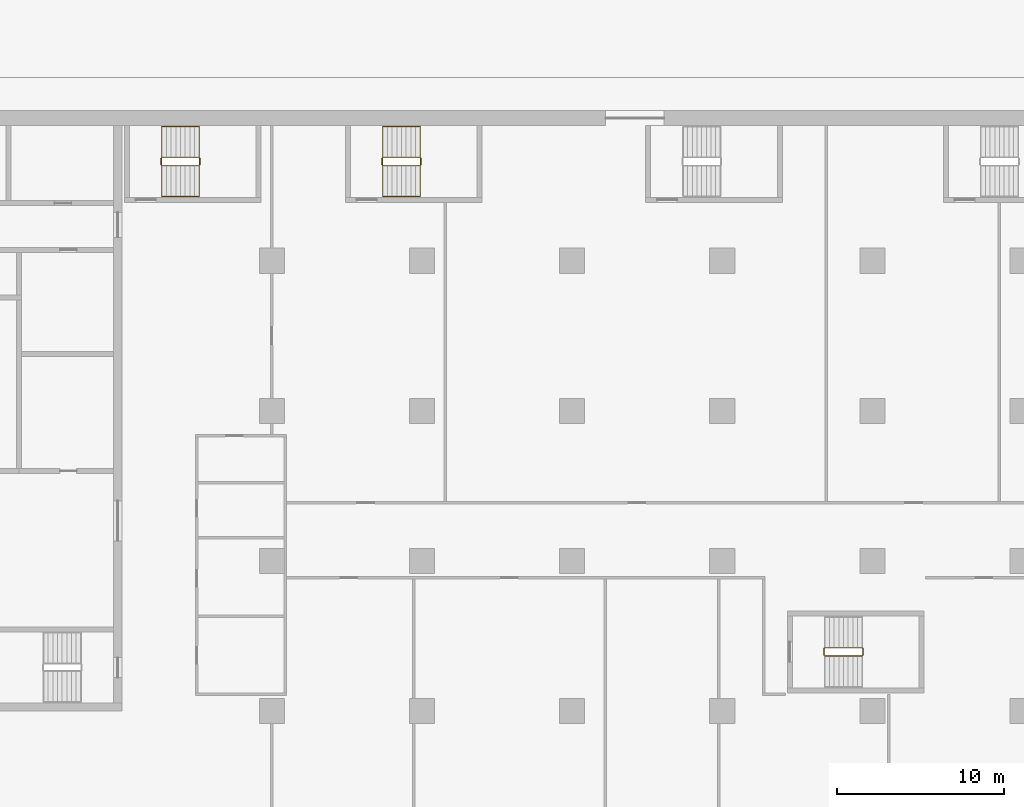
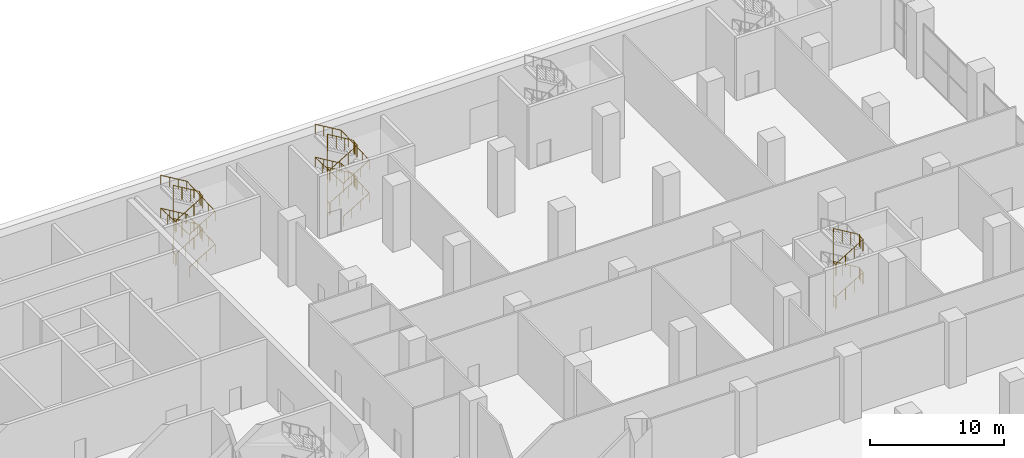
# One storey, part 41 of 47: 5 railings.
"""IFC4 building model written with IfcOpenShell, lengths in metres."""

from ifc_helpers import new_model, si_unit, direction, frame, origin, origin_2d, place, context, subcontext, project, spatial, circle, extrude, material, type_object, element, save


model = new_model("IFC4")

# Units and contexts
model_context = context("Model", 3, precision=1e-05, world=origin(), true_north=direction((0.0, 1.0)))
body_context = subcontext(model_context, "Body", "Model", "MODEL_VIEW")
ifc_project = project(units=[si_unit("LENGTHUNIT", "METRE"), si_unit("AREAUNIT", "SQUARE_METRE"), si_unit("VOLUMEUNIT", "CUBIC_METRE"), si_unit("PLANEANGLEUNIT", "RADIAN"), si_unit("MASSUNIT", "GRAM", prefix="KILO")], contexts=[model_context])

# Site, building, storey
site_placement = place(None, origin())
site = spatial("IfcSite", under=ifc_project, at=site_placement, CompositionType="ELEMENT")
building_placement = place(site_placement, origin())
building = spatial("IfcBuilding", under=site, at=building_placement, Name="Hunhe Ridgeline Campus", CompositionType="ELEMENT")
storey_placement = place(building_placement, origin())
storey = spatial("IfcBuildingStorey", under=building, at=storey_placement, Name="L00", CompositionType="ELEMENT", Elevation=0.0)

# Railings
ifc_material_1 = material(Name="Stainless steel balustrade", Category="steel")
railing_type_1 = type_object("IfcRailingType", Name="Stair guard 1100 stainless", PredefinedType="GUARDRAIL", material=ifc_material_1)
railing_1_placement = place(storey_placement, frame((38.39990234375, 95.699951171875, 0.166748046875)))
element("IfcRailing", 1, at=railing_1_placement, inside=storey, type_object=railing_type_1, Name="L00 stair E1 guard", PredefinedType="GUARDRAIL", context=body_context, shape_type="SweptSolid", body=[
    extrude(circle(Radius=0.02392578125, at=origin_2d()), frame((0.0, 0.0, 1.076171875), z_axis=(0.859305625298, 0.0, 0.511462454469), x_axis=(0.0, 1.0, 0.0)), (0.0, 0.0, 1.0), 2.606689453125),
    extrude(circle(Radius=0.02392578125, at=origin_2d()), frame((2.239990234375, 0.0, 2.4091796875), z_axis=(0.707106781187, 0.707106781187, 0.0), x_axis=(-0.707106781187, 0.707106781187, 0.0)), (0.0, 0.0, 1.0), 0.07080078125),
    extrude(circle(Radius=0.02392578125, at=origin_2d()), frame((2.2900390625, 0.050048828125, 2.4091796875), z_axis=(0.0, 1.0, 0.0), x_axis=(-1.0, 0.0, 0.0)), (0.0, 0.0, 1.0), 0.39990234375),
    extrude(circle(Radius=0.02392578125, at=origin_2d()), frame((2.2900390625, 0.449951171875, 2.4091796875), z_axis=(-0.27628659633, 0.27628659633, 0.920506074601), x_axis=(-0.707106781187, -0.707106781187, 0.0)), (0.0, 0.0, 1.0), 0.18115234375),
    extrude(circle(Radius=0.02392578125, at=origin_2d()), frame((2.239990234375, 0.5, 2.576171875), z_axis=(-0.859305625298, 0.0, 0.511462454469), x_axis=(0.0, -1.0, 0.0)), (0.0, 0.0, 1.0), 2.606689453125),
    extrude(circle(Radius=0.02392578125, at=origin_2d()), frame((0.0, 0.5, 3.9091796875), z_axis=(-0.705375805398, -0.708833529934, 0.0), x_axis=(0.708833529934, -0.705375805398, 0.0)), (0.0, 0.0, 1.0), 0.070556640625),
    extrude(circle(Radius=0.02392578125, at=origin_2d()), frame((-0.0498046875, 0.449951171875, 3.9091796875), z_axis=(0.0, -1.0, 0.0), x_axis=(1.0, 0.0, 0.0)), (0.0, 0.0, 1.0), 0.39990234375),
    extrude(circle(Radius=0.02392578125, at=origin_2d()), frame((-0.0498046875, 0.050048828125, 3.9091796875), z_axis=(0.275041040955, -0.276389281352, 0.920848191041), x_axis=(0.708833529934, 0.705375805398, 0.0)), (0.0, 0.0, 1.0), 0.18115234375),
    extrude(circle(Radius=0.02392578125, at=origin_2d()), frame((0.0, 0.0, 4.076171875), z_axis=(0.859305625298, 0.0, 0.511462454469), x_axis=(0.0, 1.0, 0.0)), (0.0, 0.0, 1.0), 2.606689453125),
    extrude(circle(Radius=0.02392578125, at=origin_2d()), frame((2.239990234375, 0.0, 5.4091796875), z_axis=(0.707106781187, 0.707106781187, 0.0), x_axis=(-0.707106781187, 0.707106781187, 0.0)), (0.0, 0.0, 1.0), 0.07080078125),
    extrude(circle(Radius=0.02392578125, at=origin_2d()), frame((2.2900390625, 0.050048828125, 5.4091796875), z_axis=(0.0, 1.0, 0.0), x_axis=(-1.0, 0.0, 0.0)), (0.0, 0.0, 1.0), 0.39990234375),
    extrude(circle(Radius=0.02392578125, at=origin_2d()), frame((2.2900390625, 0.449951171875, 5.4091796875), z_axis=(-0.27628659633, 0.27628659633, 0.920506074601), x_axis=(-0.707106781187, -0.707106781187, 0.0)), (0.0, 0.0, 1.0), 0.18115234375),
    extrude(circle(Radius=0.02392578125, at=origin_2d()), frame((2.239990234375, 0.5, 5.576171875), z_axis=(-0.859305625298, 0.0, 0.511462454469), x_axis=(0.0, -1.0, 0.0)), (0.0, 0.0, 1.0), 2.606689453125),
    extrude(circle(Radius=0.02392578125, at=origin_2d()), frame((0.0, 0.5, 6.9091796875), z_axis=(-0.008300206551, -0.008340893838, -0.999930765634), x_axis=(1.0, 0.0, 0.0)), (0.0, 0.0, 1.0), 6.00048828125),
    extrude(circle(Radius=0.02392578125, at=origin_2d()), frame((-0.0498046875, 0.449951171875, 0.9091796875), z_axis=(0.0, -1.0, 0.0), x_axis=(1.0, 0.0, 0.0)), (0.0, 0.0, 1.0), 0.39990234375),
    extrude(circle(Radius=0.02099609375, at=origin_2d()), origin(), (0.0, 0.0, 1.0), 1.052001953125),
    extrude(circle(Radius=0.02099609375, at=origin_2d()), frame((0.74658203125, 0.0, 0.4443359375)), (0.0, 0.0, 1.0), 1.052001953125),
    extrude(circle(Radius=0.02099609375, at=origin_2d()), frame((1.493408203125, 0.0, 0.888916015625)), (0.0, 0.0, 1.0), 1.052001953125),
    extrude(circle(Radius=0.02099609375, at=origin_2d()), frame((2.239990234375, 0.0, 1.333251953125)), (0.0, 0.0, 1.0), 1.052001953125),
    extrude(circle(Radius=0.02099609375, at=origin_2d()), frame((2.2900390625, 0.050048828125, 1.333251953125)), (0.0, 0.0, 1.0), 1.052001953125),
    extrude(circle(Radius=0.02099609375, at=origin_2d()), frame((2.2900390625, 0.449951171875, 1.333251953125)), (0.0, 0.0, 1.0), 1.052001953125),
    extrude(circle(Radius=0.02099609375, at=origin_2d()), frame((2.239990234375, 0.5, 1.5)), (0.0, 0.0, 1.0), 1.052001953125),
    extrude(circle(Radius=0.02099609375, at=origin_2d()), frame((1.493408203125, 0.5, 1.9443359375)), (0.0, 0.0, 1.0), 1.052001953125),
    extrude(circle(Radius=0.02099609375, at=origin_2d()), frame((0.74658203125, 0.5, 2.388916015625)), (0.0, 0.0, 1.0), 1.052001953125),
    extrude(circle(Radius=0.02099609375, at=origin_2d()), frame((0.0, 0.5, 2.833251953125)), (0.0, 0.0, 1.0), 1.052001953125),
    extrude(circle(Radius=0.02099609375, at=origin_2d()), frame((-0.0498046875, 0.449951171875, 2.833251953125)), (0.0, 0.0, 1.0), 1.052001953125),
    extrude(circle(Radius=0.02099609375, at=origin_2d()), frame((-0.0498046875, 0.050048828125, 2.833251953125)), (0.0, 0.0, 1.0), 1.052001953125),
    extrude(circle(Radius=0.02099609375, at=origin_2d()), frame((0.0, 0.0, 3.0)), (0.0, 0.0, 1.0), 1.052001953125),
    extrude(circle(Radius=0.02099609375, at=origin_2d()), frame((0.74658203125, 0.0, 3.4443359375)), (0.0, 0.0, 1.0), 1.052001953125),
    extrude(circle(Radius=0.02099609375, at=origin_2d()), frame((1.493408203125, 0.0, 3.888916015625)), (0.0, 0.0, 1.0), 1.052001953125),
    extrude(circle(Radius=0.02099609375, at=origin_2d()), frame((2.239990234375, 0.0, 4.333251953125)), (0.0, 0.0, 1.0), 1.052001953125),
    extrude(circle(Radius=0.02099609375, at=origin_2d()), frame((2.2900390625, 0.050048828125, 4.333251953125)), (0.0, 0.0, 1.0), 1.052001953125),
    extrude(circle(Radius=0.02099609375, at=origin_2d()), frame((2.2900390625, 0.449951171875, 4.333251953125)), (0.0, 0.0, 1.0), 1.052001953125),
    extrude(circle(Radius=0.02099609375, at=origin_2d()), frame((2.239990234375, 0.5, 4.5)), (0.0, 0.0, 1.0), 1.052001953125),
    extrude(circle(Radius=0.02099609375, at=origin_2d()), frame((1.493408203125, 0.5, 4.9443359375)), (0.0, 0.0, 1.0), 1.052001953125),
    extrude(circle(Radius=0.02099609375, at=origin_2d()), frame((0.74658203125, 0.5, 5.388916015625)), (0.0, 0.0, 1.0), 1.052001953125),
    extrude(circle(Radius=0.02099609375, at=origin_2d()), frame((0.0, 0.5, 5.833251953125)), (0.0, 0.0, 1.0), 1.052001953125),
    extrude(circle(Radius=0.02099609375, at=origin_2d()), frame((-0.00830078125, 0.49169921875, 4.833251953125)), (0.0, 0.0, 1.0), 1.052001953125),
    extrude(circle(Radius=0.02099609375, at=origin_2d()), frame((-0.0166015625, 0.4833984375, 3.833251953125)), (0.0, 0.0, 1.0), 1.052001953125),
    extrude(circle(Radius=0.02099609375, at=origin_2d()), frame((-0.02490234375, 0.47509765625, 2.833251953125)), (0.0, 0.0, 1.0), 1.052001953125),
    extrude(circle(Radius=0.02099609375, at=origin_2d()), frame((-0.033203125, 0.466552734375, 1.833251953125)), (0.0, 0.0, 1.0), 1.052001953125),
    extrude(circle(Radius=0.02099609375, at=origin_2d()), frame((-0.04150390625, 0.458251953125, 0.833251953125)), (0.0, 0.0, 1.0), 1.052001953125),
    extrude(circle(Radius=0.02099609375, at=origin_2d()), frame((-0.0498046875, 0.449951171875, -0.166748046875)), (0.0, 0.0, 1.0), 1.052001953125),
    extrude(circle(Radius=0.02099609375, at=origin_2d()), frame((-0.0498046875, 0.050048828125, -0.166748046875)), (0.0, 0.0, 1.0), 1.052001953125),
])
railing_2_placement = place(storey_placement, frame((51.64990234375, 95.699951171875, 0.166748046875)))
element("IfcRailing", 2, at=railing_2_placement, inside=storey, type_object=railing_type_1, Name="L00 stair E2 guard", PredefinedType="GUARDRAIL", context=body_context, shape_type="SweptSolid", body=[
    extrude(circle(Radius=0.02392578125, at=origin_2d()), frame((0.0, 0.0, 1.076171875), z_axis=(0.859305625298, 0.0, 0.511462454469), x_axis=(0.0, 1.0, 0.0)), (0.0, 0.0, 1.0), 2.606689453125),
    extrude(circle(Radius=0.02392578125, at=origin_2d()), frame((2.239990234375, 0.0, 2.4091796875), z_axis=(0.707106781187, 0.707106781187, 0.0), x_axis=(-0.707106781187, 0.707106781187, 0.0)), (0.0, 0.0, 1.0), 0.07080078125),
    extrude(circle(Radius=0.02392578125, at=origin_2d()), frame((2.2900390625, 0.050048828125, 2.4091796875), z_axis=(0.0, 1.0, 0.0), x_axis=(-1.0, 0.0, 0.0)), (0.0, 0.0, 1.0), 0.39990234375),
    extrude(circle(Radius=0.02392578125, at=origin_2d()), frame((2.2900390625, 0.449951171875, 2.4091796875), z_axis=(-0.27628659633, 0.27628659633, 0.920506074601), x_axis=(-0.707106781187, -0.707106781187, 0.0)), (0.0, 0.0, 1.0), 0.18115234375),
    extrude(circle(Radius=0.02392578125, at=origin_2d()), frame((2.239990234375, 0.5, 2.576171875), z_axis=(-0.859305625298, 0.0, 0.511462454469), x_axis=(0.0, -1.0, 0.0)), (0.0, 0.0, 1.0), 2.606689453125),
    extrude(circle(Radius=0.02392578125, at=origin_2d()), frame((0.0, 0.5, 3.9091796875), z_axis=(-0.705375805398, -0.708833529934, 0.0), x_axis=(0.708833529934, -0.705375805398, 0.0)), (0.0, 0.0, 1.0), 0.070556640625),
    extrude(circle(Radius=0.02392578125, at=origin_2d()), frame((-0.0498046875, 0.449951171875, 3.9091796875), z_axis=(0.0, -1.0, 0.0), x_axis=(1.0, 0.0, 0.0)), (0.0, 0.0, 1.0), 0.39990234375),
    extrude(circle(Radius=0.02392578125, at=origin_2d()), frame((-0.0498046875, 0.050048828125, 3.9091796875), z_axis=(0.275041040955, -0.276389281352, 0.920848191041), x_axis=(0.708833529934, 0.705375805398, 0.0)), (0.0, 0.0, 1.0), 0.18115234375),
    extrude(circle(Radius=0.02392578125, at=origin_2d()), frame((0.0, 0.0, 4.076171875), z_axis=(0.859305625298, 0.0, 0.511462454469), x_axis=(0.0, 1.0, 0.0)), (0.0, 0.0, 1.0), 2.606689453125),
    extrude(circle(Radius=0.02392578125, at=origin_2d()), frame((2.239990234375, 0.0, 5.4091796875), z_axis=(0.707106781187, 0.707106781187, 0.0), x_axis=(-0.707106781187, 0.707106781187, 0.0)), (0.0, 0.0, 1.0), 0.07080078125),
    extrude(circle(Radius=0.02392578125, at=origin_2d()), frame((2.2900390625, 0.050048828125, 5.4091796875), z_axis=(0.0, 1.0, 0.0), x_axis=(-1.0, 0.0, 0.0)), (0.0, 0.0, 1.0), 0.39990234375),
    extrude(circle(Radius=0.02392578125, at=origin_2d()), frame((2.2900390625, 0.449951171875, 5.4091796875), z_axis=(-0.27628659633, 0.27628659633, 0.920506074601), x_axis=(-0.707106781187, -0.707106781187, 0.0)), (0.0, 0.0, 1.0), 0.18115234375),
    extrude(circle(Radius=0.02392578125, at=origin_2d()), frame((2.239990234375, 0.5, 5.576171875), z_axis=(-0.859305625298, 0.0, 0.511462454469), x_axis=(0.0, -1.0, 0.0)), (0.0, 0.0, 1.0), 2.606689453125),
    extrude(circle(Radius=0.02392578125, at=origin_2d()), frame((0.0, 0.5, 6.9091796875), z_axis=(-0.008300206551, -0.008340893838, -0.999930765634), x_axis=(1.0, 0.0, 0.0)), (0.0, 0.0, 1.0), 6.00048828125),
    extrude(circle(Radius=0.02392578125, at=origin_2d()), frame((-0.0498046875, 0.449951171875, 0.9091796875), z_axis=(0.0, -1.0, 0.0), x_axis=(1.0, 0.0, 0.0)), (0.0, 0.0, 1.0), 0.39990234375),
    extrude(circle(Radius=0.02099609375, at=origin_2d()), origin(), (0.0, 0.0, 1.0), 1.052001953125),
    extrude(circle(Radius=0.02099609375, at=origin_2d()), frame((0.74658203125, 0.0, 0.4443359375)), (0.0, 0.0, 1.0), 1.052001953125),
    extrude(circle(Radius=0.02099609375, at=origin_2d()), frame((1.493408203125, 0.0, 0.888916015625)), (0.0, 0.0, 1.0), 1.052001953125),
    extrude(circle(Radius=0.02099609375, at=origin_2d()), frame((2.239990234375, 0.0, 1.333251953125)), (0.0, 0.0, 1.0), 1.052001953125),
    extrude(circle(Radius=0.02099609375, at=origin_2d()), frame((2.2900390625, 0.050048828125, 1.333251953125)), (0.0, 0.0, 1.0), 1.052001953125),
    extrude(circle(Radius=0.02099609375, at=origin_2d()), frame((2.2900390625, 0.449951171875, 1.333251953125)), (0.0, 0.0, 1.0), 1.052001953125),
    extrude(circle(Radius=0.02099609375, at=origin_2d()), frame((2.239990234375, 0.5, 1.5)), (0.0, 0.0, 1.0), 1.052001953125),
    extrude(circle(Radius=0.02099609375, at=origin_2d()), frame((1.493408203125, 0.5, 1.9443359375)), (0.0, 0.0, 1.0), 1.052001953125),
    extrude(circle(Radius=0.02099609375, at=origin_2d()), frame((0.74658203125, 0.5, 2.388916015625)), (0.0, 0.0, 1.0), 1.052001953125),
    extrude(circle(Radius=0.02099609375, at=origin_2d()), frame((0.0, 0.5, 2.833251953125)), (0.0, 0.0, 1.0), 1.052001953125),
    extrude(circle(Radius=0.02099609375, at=origin_2d()), frame((-0.0498046875, 0.449951171875, 2.833251953125)), (0.0, 0.0, 1.0), 1.052001953125),
    extrude(circle(Radius=0.02099609375, at=origin_2d()), frame((-0.0498046875, 0.050048828125, 2.833251953125)), (0.0, 0.0, 1.0), 1.052001953125),
    extrude(circle(Radius=0.02099609375, at=origin_2d()), frame((0.0, 0.0, 3.0)), (0.0, 0.0, 1.0), 1.052001953125),
    extrude(circle(Radius=0.02099609375, at=origin_2d()), frame((0.74658203125, 0.0, 3.4443359375)), (0.0, 0.0, 1.0), 1.052001953125),
    extrude(circle(Radius=0.02099609375, at=origin_2d()), frame((1.493408203125, 0.0, 3.888916015625)), (0.0, 0.0, 1.0), 1.052001953125),
    extrude(circle(Radius=0.02099609375, at=origin_2d()), frame((2.239990234375, 0.0, 4.333251953125)), (0.0, 0.0, 1.0), 1.052001953125),
    extrude(circle(Radius=0.02099609375, at=origin_2d()), frame((2.2900390625, 0.050048828125, 4.333251953125)), (0.0, 0.0, 1.0), 1.052001953125),
    extrude(circle(Radius=0.02099609375, at=origin_2d()), frame((2.2900390625, 0.449951171875, 4.333251953125)), (0.0, 0.0, 1.0), 1.052001953125),
    extrude(circle(Radius=0.02099609375, at=origin_2d()), frame((2.239990234375, 0.5, 4.5)), (0.0, 0.0, 1.0), 1.052001953125),
    extrude(circle(Radius=0.02099609375, at=origin_2d()), frame((1.493408203125, 0.5, 4.9443359375)), (0.0, 0.0, 1.0), 1.052001953125),
    extrude(circle(Radius=0.02099609375, at=origin_2d()), frame((0.74658203125, 0.5, 5.388916015625)), (0.0, 0.0, 1.0), 1.052001953125),
    extrude(circle(Radius=0.02099609375, at=origin_2d()), frame((0.0, 0.5, 5.833251953125)), (0.0, 0.0, 1.0), 1.052001953125),
    extrude(circle(Radius=0.02099609375, at=origin_2d()), frame((-0.00830078125, 0.49169921875, 4.833251953125)), (0.0, 0.0, 1.0), 1.052001953125),
    extrude(circle(Radius=0.02099609375, at=origin_2d()), frame((-0.0166015625, 0.4833984375, 3.833251953125)), (0.0, 0.0, 1.0), 1.052001953125),
    extrude(circle(Radius=0.02099609375, at=origin_2d()), frame((-0.02490234375, 0.47509765625, 2.833251953125)), (0.0, 0.0, 1.0), 1.052001953125),
    extrude(circle(Radius=0.02099609375, at=origin_2d()), frame((-0.033203125, 0.466552734375, 1.833251953125)), (0.0, 0.0, 1.0), 1.052001953125),
    extrude(circle(Radius=0.02099609375, at=origin_2d()), frame((-0.04150390625, 0.458251953125, 0.833251953125)), (0.0, 0.0, 1.0), 1.052001953125),
    extrude(circle(Radius=0.02099609375, at=origin_2d()), frame((-0.0498046875, 0.449951171875, -0.166748046875)), (0.0, 0.0, 1.0), 1.052001953125),
    extrude(circle(Radius=0.02099609375, at=origin_2d()), frame((-0.0498046875, 0.050048828125, -0.166748046875)), (0.0, 0.0, 1.0), 1.052001953125),
])
railing_3_placement = place(storey_placement, frame((78.14990234375, 66.300048828125, 0.166748046875)))
element("IfcRailing", 3, at=railing_3_placement, inside=storey, type_object=railing_type_1, Name="L00 stair E5 guard", PredefinedType="GUARDRAIL", context=body_context, shape_type="SweptSolid", body=[
    extrude(circle(Radius=0.02392578125, at=origin_2d()), frame((0.0, 0.0, 1.076171875), z_axis=(0.859305625298, 0.0, 0.511462454469), x_axis=(0.0, 1.0, 0.0)), (0.0, 0.0, 1.0), 2.606689453125),
    extrude(circle(Radius=0.02392578125, at=origin_2d()), frame((2.239990234375, 0.0, 2.4091796875), z_axis=(0.707106781187, 0.707106781187, 0.0), x_axis=(-0.707106781187, 0.707106781187, 0.0)), (0.0, 0.0, 1.0), 0.07080078125),
    extrude(circle(Radius=0.02392578125, at=origin_2d()), frame((2.2900390625, 0.050048828125, 2.4091796875), z_axis=(0.0, 1.0, 0.0), x_axis=(-1.0, 0.0, 0.0)), (0.0, 0.0, 1.0), 0.39990234375),
    extrude(circle(Radius=0.02392578125, at=origin_2d()), frame((2.2900390625, 0.449951171875, 2.4091796875), z_axis=(-0.27628659633, 0.27628659633, 0.920506074601), x_axis=(-0.707106781187, -0.707106781187, 0.0)), (0.0, 0.0, 1.0), 0.18115234375),
    extrude(circle(Radius=0.02392578125, at=origin_2d()), frame((2.239990234375, 0.5, 2.576171875), z_axis=(-0.859305625298, 0.0, 0.511462454469), x_axis=(0.0, -1.0, 0.0)), (0.0, 0.0, 1.0), 2.606689453125),
    extrude(circle(Radius=0.02392578125, at=origin_2d()), frame((0.0, 0.5, 3.9091796875), z_axis=(-0.705375805398, -0.708833529934, 0.0), x_axis=(0.708833529934, -0.705375805398, 0.0)), (0.0, 0.0, 1.0), 0.070556640625),
    extrude(circle(Radius=0.02392578125, at=origin_2d()), frame((-0.0498046875, 0.449951171875, 3.9091796875), z_axis=(0.0, -1.0, 0.0), x_axis=(1.0, 0.0, 0.0)), (0.0, 0.0, 1.0), 0.39990234375),
    extrude(circle(Radius=0.02392578125, at=origin_2d()), frame((-0.0498046875, 0.050048828125, 3.9091796875), z_axis=(0.275041040955, -0.276389281352, 0.920848191041), x_axis=(0.708833529934, 0.705375805398, 0.0)), (0.0, 0.0, 1.0), 0.18115234375),
    extrude(circle(Radius=0.02392578125, at=origin_2d()), frame((0.0, 0.0, 4.076171875), z_axis=(0.859305625298, 0.0, 0.511462454469), x_axis=(0.0, 1.0, 0.0)), (0.0, 0.0, 1.0), 2.606689453125),
    extrude(circle(Radius=0.02392578125, at=origin_2d()), frame((2.239990234375, 0.0, 5.4091796875), z_axis=(0.707106781187, 0.707106781187, 0.0), x_axis=(-0.707106781187, 0.707106781187, 0.0)), (0.0, 0.0, 1.0), 0.07080078125),
    extrude(circle(Radius=0.02392578125, at=origin_2d()), frame((2.2900390625, 0.050048828125, 5.4091796875), z_axis=(0.0, 1.0, 0.0), x_axis=(-1.0, 0.0, 0.0)), (0.0, 0.0, 1.0), 0.39990234375),
    extrude(circle(Radius=0.02392578125, at=origin_2d()), frame((2.2900390625, 0.449951171875, 5.4091796875), z_axis=(-0.27628659633, 0.27628659633, 0.920506074601), x_axis=(-0.707106781187, -0.707106781187, 0.0)), (0.0, 0.0, 1.0), 0.18115234375),
    extrude(circle(Radius=0.02392578125, at=origin_2d()), frame((2.239990234375, 0.5, 5.576171875), z_axis=(-0.859305625298, 0.0, 0.511462454469), x_axis=(0.0, -1.0, 0.0)), (0.0, 0.0, 1.0), 2.606689453125),
    extrude(circle(Radius=0.02392578125, at=origin_2d()), frame((0.0, 0.5, 6.9091796875), z_axis=(-0.008300206551, -0.008340893838, -0.999930765634), x_axis=(1.0, 0.0, 0.0)), (0.0, 0.0, 1.0), 6.00048828125),
    extrude(circle(Radius=0.02392578125, at=origin_2d()), frame((-0.0498046875, 0.449951171875, 0.9091796875), z_axis=(0.0, -1.0, 0.0), x_axis=(1.0, 0.0, 0.0)), (0.0, 0.0, 1.0), 0.39990234375),
    extrude(circle(Radius=0.02099609375, at=origin_2d()), origin(), (0.0, 0.0, 1.0), 1.052001953125),
    extrude(circle(Radius=0.02099609375, at=origin_2d()), frame((0.74658203125, 0.0, 0.4443359375)), (0.0, 0.0, 1.0), 1.052001953125),
    extrude(circle(Radius=0.02099609375, at=origin_2d()), frame((1.493408203125, 0.0, 0.888916015625)), (0.0, 0.0, 1.0), 1.052001953125),
    extrude(circle(Radius=0.02099609375, at=origin_2d()), frame((2.239990234375, 0.0, 1.333251953125)), (0.0, 0.0, 1.0), 1.052001953125),
    extrude(circle(Radius=0.02099609375, at=origin_2d()), frame((2.2900390625, 0.050048828125, 1.333251953125)), (0.0, 0.0, 1.0), 1.052001953125),
    extrude(circle(Radius=0.02099609375, at=origin_2d()), frame((2.2900390625, 0.449951171875, 1.333251953125)), (0.0, 0.0, 1.0), 1.052001953125),
    extrude(circle(Radius=0.02099609375, at=origin_2d()), frame((2.239990234375, 0.5, 1.5)), (0.0, 0.0, 1.0), 1.052001953125),
    extrude(circle(Radius=0.02099609375, at=origin_2d()), frame((1.493408203125, 0.5, 1.9443359375)), (0.0, 0.0, 1.0), 1.052001953125),
    extrude(circle(Radius=0.02099609375, at=origin_2d()), frame((0.74658203125, 0.5, 2.388916015625)), (0.0, 0.0, 1.0), 1.052001953125),
    extrude(circle(Radius=0.02099609375, at=origin_2d()), frame((0.0, 0.5, 2.833251953125)), (0.0, 0.0, 1.0), 1.052001953125),
    extrude(circle(Radius=0.02099609375, at=origin_2d()), frame((-0.0498046875, 0.449951171875, 2.833251953125)), (0.0, 0.0, 1.0), 1.052001953125),
    extrude(circle(Radius=0.02099609375, at=origin_2d()), frame((-0.0498046875, 0.050048828125, 2.833251953125)), (0.0, 0.0, 1.0), 1.052001953125),
    extrude(circle(Radius=0.02099609375, at=origin_2d()), frame((0.0, 0.0, 3.0)), (0.0, 0.0, 1.0), 1.052001953125),
    extrude(circle(Radius=0.02099609375, at=origin_2d()), frame((0.74658203125, 0.0, 3.4443359375)), (0.0, 0.0, 1.0), 1.052001953125),
    extrude(circle(Radius=0.02099609375, at=origin_2d()), frame((1.493408203125, 0.0, 3.888916015625)), (0.0, 0.0, 1.0), 1.052001953125),
    extrude(circle(Radius=0.02099609375, at=origin_2d()), frame((2.239990234375, 0.0, 4.333251953125)), (0.0, 0.0, 1.0), 1.052001953125),
    extrude(circle(Radius=0.02099609375, at=origin_2d()), frame((2.2900390625, 0.050048828125, 4.333251953125)), (0.0, 0.0, 1.0), 1.052001953125),
    extrude(circle(Radius=0.02099609375, at=origin_2d()), frame((2.2900390625, 0.449951171875, 4.333251953125)), (0.0, 0.0, 1.0), 1.052001953125),
    extrude(circle(Radius=0.02099609375, at=origin_2d()), frame((2.239990234375, 0.5, 4.5)), (0.0, 0.0, 1.0), 1.052001953125),
    extrude(circle(Radius=0.02099609375, at=origin_2d()), frame((1.493408203125, 0.5, 4.9443359375)), (0.0, 0.0, 1.0), 1.052001953125),
    extrude(circle(Radius=0.02099609375, at=origin_2d()), frame((0.74658203125, 0.5, 5.388916015625)), (0.0, 0.0, 1.0), 1.052001953125),
    extrude(circle(Radius=0.02099609375, at=origin_2d()), frame((0.0, 0.5, 5.833251953125)), (0.0, 0.0, 1.0), 1.052001953125),
    extrude(circle(Radius=0.02099609375, at=origin_2d()), frame((-0.00830078125, 0.49169921875, 4.833251953125)), (0.0, 0.0, 1.0), 1.052001953125),
    extrude(circle(Radius=0.02099609375, at=origin_2d()), frame((-0.0166015625, 0.4833984375, 3.833251953125)), (0.0, 0.0, 1.0), 1.052001953125),
    extrude(circle(Radius=0.02099609375, at=origin_2d()), frame((-0.02490234375, 0.47509765625, 2.833251953125)), (0.0, 0.0, 1.0), 1.052001953125),
    extrude(circle(Radius=0.02099609375, at=origin_2d()), frame((-0.033203125, 0.466552734375, 1.833251953125)), (0.0, 0.0, 1.0), 1.052001953125),
    extrude(circle(Radius=0.02099609375, at=origin_2d()), frame((-0.04150390625, 0.458251953125, 0.833251953125)), (0.0, 0.0, 1.0), 1.052001953125),
    extrude(circle(Radius=0.02099609375, at=origin_2d()), frame((-0.0498046875, 0.449951171875, -0.166748046875)), (0.0, 0.0, 1.0), 1.052001953125),
    extrude(circle(Radius=0.02099609375, at=origin_2d()), frame((-0.0498046875, 0.050048828125, -0.166748046875)), (0.0, 0.0, 1.0), 1.052001953125),
])
ifc_material_2 = material(Name="Stainless steel handrail", Category="steel")
railing_type_2 = type_object("IfcRailingType", Name="Stair handrail 900 stainless", PredefinedType="HANDRAIL", material=ifc_material_2)
railing_4_placement = place(storey_placement, frame((38.39990234375, 93.85009765625, 0.166748046875)))
element("IfcRailing", 4, at=railing_4_placement, inside=storey, type_object=railing_type_2, Name="L00 stair E1 handrail", PredefinedType="HANDRAIL", context=body_context, shape_type="SweptSolid", body=[
    extrude(circle(Radius=0.02392578125, at=origin_2d()), frame((0.0, 0.0, 0.8759765625), z_axis=(0.859305625298, 0.0, 0.511462454469), x_axis=(0.0, 1.0, 0.0)), (0.0, 0.0, 1.0), 2.606689453125),
    extrude(circle(Radius=0.02392578125, at=origin_2d()), frame((2.239990234375, 0.0, 2.208984375), z_axis=(0.0, 0.999212791134, 0.039671123429), x_axis=(-1.0, 0.0, 0.0)), (0.0, 0.0, 1.0), 4.203369140625),
    extrude(circle(Radius=0.02392578125, at=origin_2d()), frame((2.239990234375, 4.199951171875, 2.3759765625), z_axis=(-0.859305625298, 0.0, 0.511462454469), x_axis=(0.0, -1.0, 0.0)), (0.0, 0.0, 1.0), 2.606689453125),
    extrude(circle(Radius=0.02392578125, at=origin_2d()), frame((0.0, 4.199951171875, 3.708984375), z_axis=(0.0, -0.999212791134, 0.039671123429), x_axis=(1.0, 0.0, 0.0)), (0.0, 0.0, 1.0), 4.203369140625),
    extrude(circle(Radius=0.02392578125, at=origin_2d()), frame((0.0, 0.0, 3.8759765625), z_axis=(0.859305625298, 0.0, 0.511462454469), x_axis=(0.0, 1.0, 0.0)), (0.0, 0.0, 1.0), 2.606689453125),
    extrude(circle(Radius=0.02392578125, at=origin_2d()), frame((2.239990234375, 0.0, 5.208984375), z_axis=(0.0, 0.999212791134, 0.039671123429), x_axis=(-1.0, 0.0, 0.0)), (0.0, 0.0, 1.0), 4.203369140625),
    extrude(circle(Radius=0.02392578125, at=origin_2d()), frame((2.239990234375, 4.199951171875, 5.3759765625), z_axis=(-0.859305625298, 0.0, 0.511462454469), x_axis=(0.0, -1.0, 0.0)), (0.0, 0.0, 1.0), 2.606689453125),
    extrude(circle(Radius=0.02099609375, at=origin_2d()), origin(), (0.0, 0.0, 1.0), 0.851806640625),
    extrude(circle(Radius=0.02099609375, at=origin_2d()), frame((0.74658203125, 0.0, 0.4443359375)), (0.0, 0.0, 1.0), 0.851806640625),
    extrude(circle(Radius=0.02099609375, at=origin_2d()), frame((1.493408203125, 0.0, 0.888916015625)), (0.0, 0.0, 1.0), 0.851806640625),
    extrude(circle(Radius=0.02099609375, at=origin_2d()), frame((2.239990234375, 0.0, 1.333251953125)), (0.0, 0.0, 1.0), 0.851806640625),
    extrude(circle(Radius=0.02099609375, at=origin_2d()), frame((2.239990234375, 1.050048828125, 1.375)), (0.0, 0.0, 1.0), 0.851806640625),
    extrude(circle(Radius=0.02099609375, at=origin_2d()), frame((2.239990234375, 2.10009765625, 1.41650390625)), (0.0, 0.0, 1.0), 0.851806640625),
    extrude(circle(Radius=0.02099609375, at=origin_2d()), frame((2.239990234375, 3.14990234375, 1.458251953125)), (0.0, 0.0, 1.0), 0.851806640625),
    extrude(circle(Radius=0.02099609375, at=origin_2d()), frame((2.239990234375, 4.199951171875, 1.5)), (0.0, 0.0, 1.0), 0.851806640625),
    extrude(circle(Radius=0.02099609375, at=origin_2d()), frame((1.493408203125, 4.199951171875, 1.9443359375)), (0.0, 0.0, 1.0), 0.851806640625),
    extrude(circle(Radius=0.02099609375, at=origin_2d()), frame((0.74658203125, 4.199951171875, 2.388916015625)), (0.0, 0.0, 1.0), 0.851806640625),
    extrude(circle(Radius=0.02099609375, at=origin_2d()), frame((0.0, 4.199951171875, 2.833251953125)), (0.0, 0.0, 1.0), 0.851806640625),
    extrude(circle(Radius=0.02099609375, at=origin_2d()), frame((0.0, 3.14990234375, 2.875)), (0.0, 0.0, 1.0), 0.851806640625),
    extrude(circle(Radius=0.02099609375, at=origin_2d()), frame((0.0, 2.10009765625, 2.91650390625)), (0.0, 0.0, 1.0), 0.851806640625),
    extrude(circle(Radius=0.02099609375, at=origin_2d()), frame((0.0, 1.050048828125, 2.958251953125)), (0.0, 0.0, 1.0), 0.851806640625),
    extrude(circle(Radius=0.02099609375, at=origin_2d()), frame((0.0, 0.0, 3.0)), (0.0, 0.0, 1.0), 0.851806640625),
    extrude(circle(Radius=0.02099609375, at=origin_2d()), frame((0.74658203125, 0.0, 3.4443359375)), (0.0, 0.0, 1.0), 0.851806640625),
    extrude(circle(Radius=0.02099609375, at=origin_2d()), frame((1.493408203125, 0.0, 3.888916015625)), (0.0, 0.0, 1.0), 0.851806640625),
    extrude(circle(Radius=0.02099609375, at=origin_2d()), frame((2.239990234375, 0.0, 4.333251953125)), (0.0, 0.0, 1.0), 0.851806640625),
    extrude(circle(Radius=0.02099609375, at=origin_2d()), frame((2.239990234375, 1.050048828125, 4.375)), (0.0, 0.0, 1.0), 0.851806640625),
    extrude(circle(Radius=0.02099609375, at=origin_2d()), frame((2.239990234375, 2.10009765625, 4.41650390625)), (0.0, 0.0, 1.0), 0.851806640625),
    extrude(circle(Radius=0.02099609375, at=origin_2d()), frame((2.239990234375, 3.14990234375, 4.458251953125)), (0.0, 0.0, 1.0), 0.851806640625),
    extrude(circle(Radius=0.02099609375, at=origin_2d()), frame((2.239990234375, 4.199951171875, 4.5)), (0.0, 0.0, 1.0), 0.851806640625),
    extrude(circle(Radius=0.02099609375, at=origin_2d()), frame((1.493408203125, 4.199951171875, 4.9443359375)), (0.0, 0.0, 1.0), 0.851806640625),
    extrude(circle(Radius=0.02099609375, at=origin_2d()), frame((0.74658203125, 4.199951171875, 5.388916015625)), (0.0, 0.0, 1.0), 0.851806640625),
    extrude(circle(Radius=0.02099609375, at=origin_2d()), frame((0.0, 4.199951171875, 5.833251953125)), (0.0, 0.0, 1.0), 0.851806640625),
])
railing_5_placement = place(storey_placement, frame((51.64990234375, 93.85009765625, 0.166748046875)))
element("IfcRailing", 5, at=railing_5_placement, inside=storey, type_object=railing_type_2, Name="L00 stair E2 handrail", PredefinedType="HANDRAIL", context=body_context, shape_type="SweptSolid", body=[
    extrude(circle(Radius=0.02392578125, at=origin_2d()), frame((0.0, 0.0, 0.8759765625), z_axis=(0.859305625298, 0.0, 0.511462454469), x_axis=(0.0, 1.0, 0.0)), (0.0, 0.0, 1.0), 2.606689453125),
    extrude(circle(Radius=0.02392578125, at=origin_2d()), frame((2.239990234375, 0.0, 2.208984375), z_axis=(0.0, 0.999212791134, 0.039671123429), x_axis=(-1.0, 0.0, 0.0)), (0.0, 0.0, 1.0), 4.203369140625),
    extrude(circle(Radius=0.02392578125, at=origin_2d()), frame((2.239990234375, 4.199951171875, 2.3759765625), z_axis=(-0.859305625298, 0.0, 0.511462454469), x_axis=(0.0, -1.0, 0.0)), (0.0, 0.0, 1.0), 2.606689453125),
    extrude(circle(Radius=0.02392578125, at=origin_2d()), frame((0.0, 4.199951171875, 3.708984375), z_axis=(0.0, -0.999212791134, 0.039671123429), x_axis=(1.0, 0.0, 0.0)), (0.0, 0.0, 1.0), 4.203369140625),
    extrude(circle(Radius=0.02392578125, at=origin_2d()), frame((0.0, 0.0, 3.8759765625), z_axis=(0.859305625298, 0.0, 0.511462454469), x_axis=(0.0, 1.0, 0.0)), (0.0, 0.0, 1.0), 2.606689453125),
    extrude(circle(Radius=0.02392578125, at=origin_2d()), frame((2.239990234375, 0.0, 5.208984375), z_axis=(0.0, 0.999212791134, 0.039671123429), x_axis=(-1.0, 0.0, 0.0)), (0.0, 0.0, 1.0), 4.203369140625),
    extrude(circle(Radius=0.02392578125, at=origin_2d()), frame((2.239990234375, 4.199951171875, 5.3759765625), z_axis=(-0.859305625298, 0.0, 0.511462454469), x_axis=(0.0, -1.0, 0.0)), (0.0, 0.0, 1.0), 2.606689453125),
    extrude(circle(Radius=0.02099609375, at=origin_2d()), origin(), (0.0, 0.0, 1.0), 0.851806640625),
    extrude(circle(Radius=0.02099609375, at=origin_2d()), frame((0.74658203125, 0.0, 0.4443359375)), (0.0, 0.0, 1.0), 0.851806640625),
    extrude(circle(Radius=0.02099609375, at=origin_2d()), frame((1.493408203125, 0.0, 0.888916015625)), (0.0, 0.0, 1.0), 0.851806640625),
    extrude(circle(Radius=0.02099609375, at=origin_2d()), frame((2.239990234375, 0.0, 1.333251953125)), (0.0, 0.0, 1.0), 0.851806640625),
    extrude(circle(Radius=0.02099609375, at=origin_2d()), frame((2.239990234375, 1.050048828125, 1.375)), (0.0, 0.0, 1.0), 0.851806640625),
    extrude(circle(Radius=0.02099609375, at=origin_2d()), frame((2.239990234375, 2.10009765625, 1.41650390625)), (0.0, 0.0, 1.0), 0.851806640625),
    extrude(circle(Radius=0.02099609375, at=origin_2d()), frame((2.239990234375, 3.14990234375, 1.458251953125)), (0.0, 0.0, 1.0), 0.851806640625),
    extrude(circle(Radius=0.02099609375, at=origin_2d()), frame((2.239990234375, 4.199951171875, 1.5)), (0.0, 0.0, 1.0), 0.851806640625),
    extrude(circle(Radius=0.02099609375, at=origin_2d()), frame((1.493408203125, 4.199951171875, 1.9443359375)), (0.0, 0.0, 1.0), 0.851806640625),
    extrude(circle(Radius=0.02099609375, at=origin_2d()), frame((0.74658203125, 4.199951171875, 2.388916015625)), (0.0, 0.0, 1.0), 0.851806640625),
    extrude(circle(Radius=0.02099609375, at=origin_2d()), frame((0.0, 4.199951171875, 2.833251953125)), (0.0, 0.0, 1.0), 0.851806640625),
    extrude(circle(Radius=0.02099609375, at=origin_2d()), frame((0.0, 3.14990234375, 2.875)), (0.0, 0.0, 1.0), 0.851806640625),
    extrude(circle(Radius=0.02099609375, at=origin_2d()), frame((0.0, 2.10009765625, 2.91650390625)), (0.0, 0.0, 1.0), 0.851806640625),
    extrude(circle(Radius=0.02099609375, at=origin_2d()), frame((0.0, 1.050048828125, 2.958251953125)), (0.0, 0.0, 1.0), 0.851806640625),
    extrude(circle(Radius=0.02099609375, at=origin_2d()), frame((0.0, 0.0, 3.0)), (0.0, 0.0, 1.0), 0.851806640625),
    extrude(circle(Radius=0.02099609375, at=origin_2d()), frame((0.74658203125, 0.0, 3.4443359375)), (0.0, 0.0, 1.0), 0.851806640625),
    extrude(circle(Radius=0.02099609375, at=origin_2d()), frame((1.493408203125, 0.0, 3.888916015625)), (0.0, 0.0, 1.0), 0.851806640625),
    extrude(circle(Radius=0.02099609375, at=origin_2d()), frame((2.239990234375, 0.0, 4.333251953125)), (0.0, 0.0, 1.0), 0.851806640625),
    extrude(circle(Radius=0.02099609375, at=origin_2d()), frame((2.239990234375, 1.050048828125, 4.375)), (0.0, 0.0, 1.0), 0.851806640625),
    extrude(circle(Radius=0.02099609375, at=origin_2d()), frame((2.239990234375, 2.10009765625, 4.41650390625)), (0.0, 0.0, 1.0), 0.851806640625),
    extrude(circle(Radius=0.02099609375, at=origin_2d()), frame((2.239990234375, 3.14990234375, 4.458251953125)), (0.0, 0.0, 1.0), 0.851806640625),
    extrude(circle(Radius=0.02099609375, at=origin_2d()), frame((2.239990234375, 4.199951171875, 4.5)), (0.0, 0.0, 1.0), 0.851806640625),
    extrude(circle(Radius=0.02099609375, at=origin_2d()), frame((1.493408203125, 4.199951171875, 4.9443359375)), (0.0, 0.0, 1.0), 0.851806640625),
    extrude(circle(Radius=0.02099609375, at=origin_2d()), frame((0.74658203125, 4.199951171875, 5.388916015625)), (0.0, 0.0, 1.0), 0.851806640625),
    extrude(circle(Radius=0.02099609375, at=origin_2d()), frame((0.0, 4.199951171875, 5.833251953125)), (0.0, 0.0, 1.0), 0.851806640625),
])

save(model, "model.ifc")
